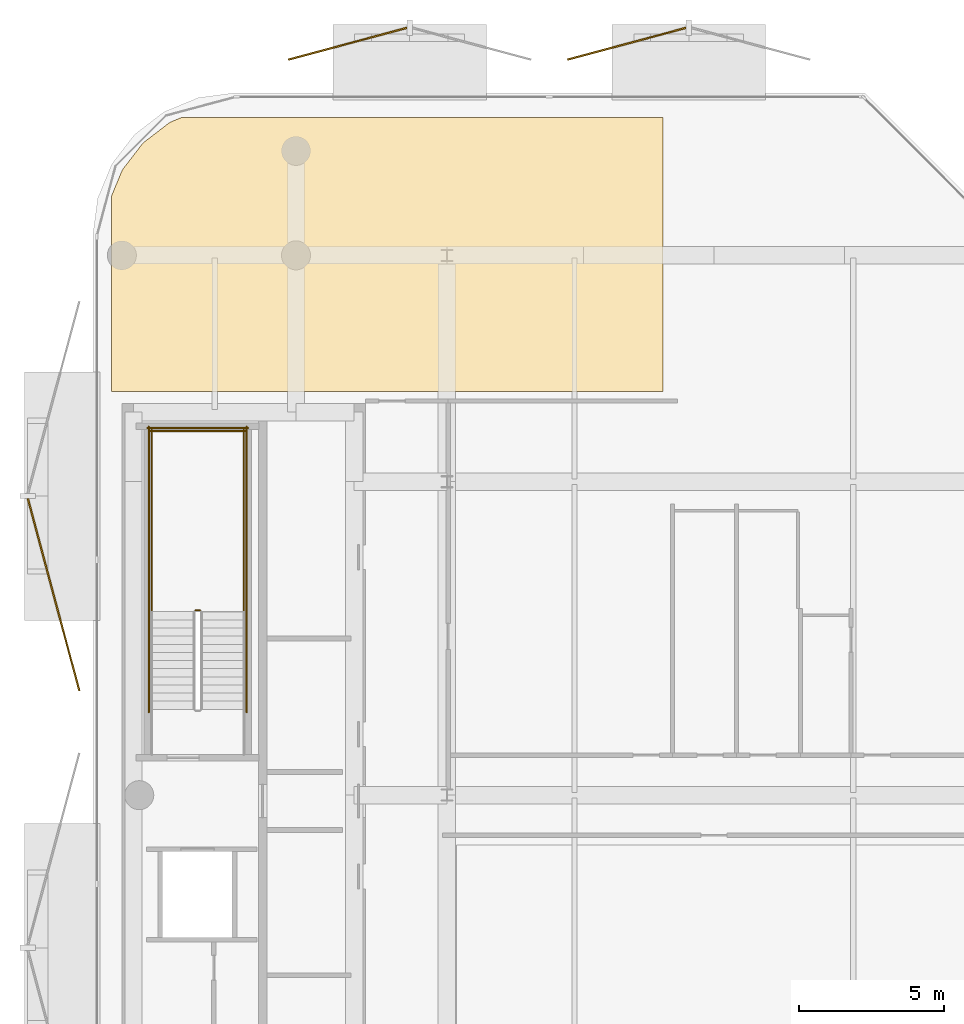
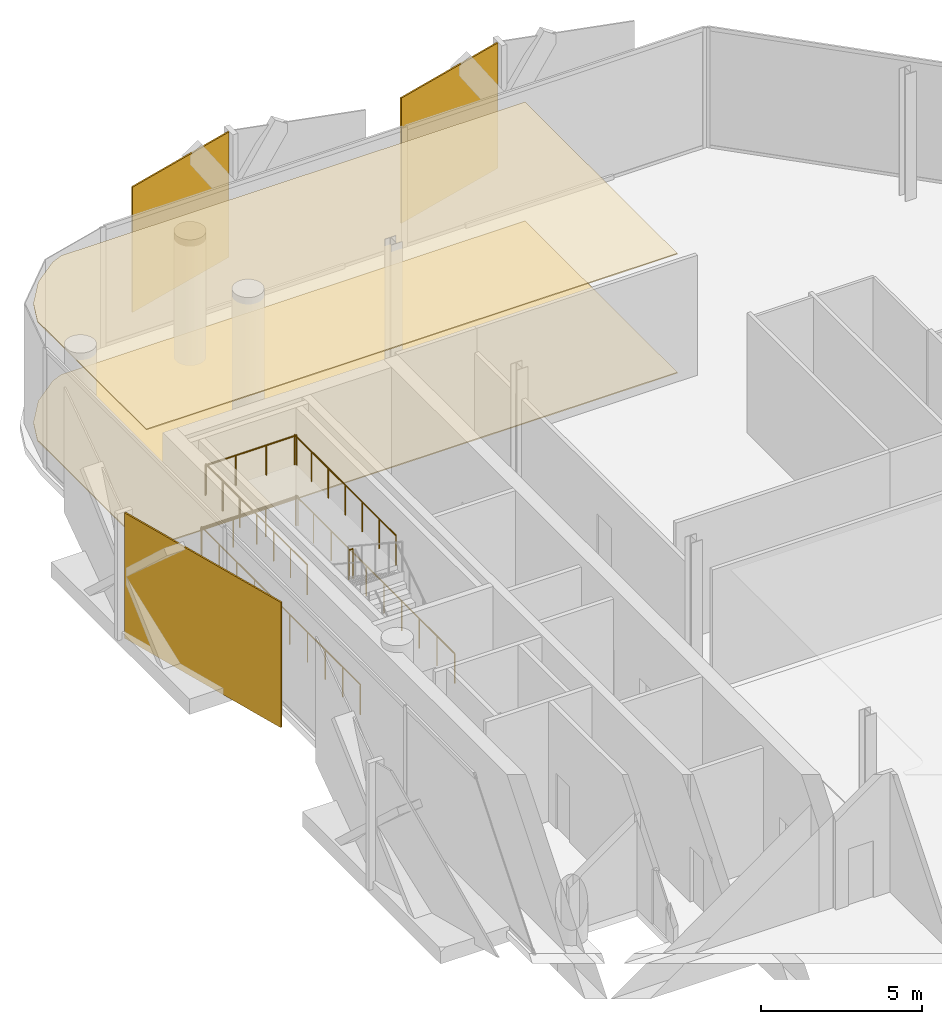
# One storey, part 15 of 15: 7 railings, 5 coverings.
"""IFC4 building model written with IfcOpenShell, lengths in metres."""

import ifcopenshell
import ifcopenshell.guid

model = None  # the IFC model being written
_history = None  # IfcOwnerHistory: only IFC2X3 demands one
_inside = {}  # id of a spatial element -> (the spatial element, [elements in it])
_under = {}  # id of a project, library or spatial element -> (it, [spatial elements below it])
_declared = {}  # id of a project -> (the project, [libraries it declares])
_typed = {}  # id of a type object -> (the type object, [elements of that type])
_made_of = {}  # id of a material, layer set ... -> (it, [elements and type objects made of it])


def new_model(schema):
    """Start an empty IFC model of exactly this schema.

    Asked for "IFC4X3", IfcOpenShell would pick the latest addendum, in which some entities
    have other attributes; the version numbers below select the first issue.
    IFC2X3 requires an IfcOwnerHistory on every rooted entity: one is made here for all.
    """
    global model, _history
    if schema == "IFC4X3":
        model = ifcopenshell.file(schema_version=(4, 3, 0, 0))
    else:
        model = ifcopenshell.file(schema=schema)
    _inside.clear()
    _under.clear()
    _declared.clear()
    _typed.clear()
    _made_of.clear()
    _history = None
    if model.schema == "IFC2X3":
        org = make("IfcOrganization", Name="unknown")
        user = make(
            "IfcPersonAndOrganization",
            ThePerson=make("IfcPerson", FamilyName="unknown"),
            TheOrganization=org,
        )
        app = make(
            "IfcApplication",
            ApplicationDeveloper=org,
            Version="unknown",
            ApplicationFullName="unknown",
            ApplicationIdentifier="unknown",
        )
        _history = make(
            "IfcOwnerHistory",
            OwningUser=user,
            OwningApplication=app,
            ChangeAction="ADDED",
            CreationDate=0,
        )
    return model


def make(cls, **values):
    """One entity of the class cls with the attributes given. An attribute that is None is left unset."""
    return model.create_entity(
        cls, **{name: value for name, value in values.items() if value is not None}
    )


def rooted(cls, **values):
    """An entity with a GlobalId (a new one), such as an element, a storey or a relation."""
    return make(cls, GlobalId=ifcopenshell.guid.new(), OwnerHistory=_history, **values)


def si_unit(unit_type, name, prefix=None):
    """IfcSIUnit, for example si_unit("LENGTHUNIT", "METRE", prefix="MILLI")."""
    return make("IfcSIUnit", UnitType=unit_type, Prefix=prefix, Name=name)


def assignment(units):
    """IfcUnitAssignment: the units of a project."""
    return None if units is None else make("IfcUnitAssignment", Units=units)


def point(xyz):
    """IfcCartesianPoint."""
    return None if xyz is None else make("IfcCartesianPoint", Coordinates=xyz)


def direction(xyz):
    """IfcDirection."""
    return None if xyz is None else make("IfcDirection", DirectionRatios=xyz)


def frame(location, z_axis=None, x_axis=None):
    """IfcAxis2Placement3D, a coordinate frame: its origin and axes. An axis left out is left unset."""
    return make(
        "IfcAxis2Placement3D",
        Location=point(location),
        Axis=direction(z_axis),
        RefDirection=direction(x_axis),
    )


def frame_2d(location, x_axis=None):
    """IfcAxis2Placement2D, a coordinate frame in the plane: its origin and x axis."""
    return make(
        "IfcAxis2Placement2D", Location=point(location), RefDirection=direction(x_axis)
    )


def origin():
    """The frame at (0, 0, 0) with its axes left unset."""
    return frame((0.0, 0.0, 0.0))


def origin_2d():
    """The frame at (0, 0) in the plane with its x axis left unset."""
    return frame_2d((0.0, 0.0))


def place(relative_to, where):
    """IfcLocalPlacement: puts the frame where relative to a parent placement (None: the world)."""
    return make(
        "IfcLocalPlacement", PlacementRelTo=relative_to, RelativePlacement=where
    )


def context(
    kind, dimensions, precision=None, world=None, true_north=None, identifier=None
):
    """IfcGeometricRepresentationContext, for example the 3D "Model" context."""
    return make(
        "IfcGeometricRepresentationContext",
        ContextIdentifier=identifier,
        ContextType=kind,
        CoordinateSpaceDimension=dimensions,
        Precision=precision,
        WorldCoordinateSystem=world,
        TrueNorth=true_north,
    )


def subcontext(parent, identifier, kind, view, scale=None):
    """IfcGeometricRepresentationSubContext, for example "Body" below "Model"."""
    return make(
        "IfcGeometricRepresentationSubContext",
        ContextIdentifier=identifier,
        ContextType=kind,
        ParentContext=parent,
        TargetScale=scale,
        TargetView=view,
    )


def project(units=None, contexts=None):
    """IfcProject with its units and contexts."""
    return rooted(
        "IfcProject",
        Name="project",
        RepresentationContexts=contexts,
        UnitsInContext=assignment(units),
    )


def spatial(cls, under=None, at=None, **own):
    """A site, building, storey or space (cls), placed at a placement, below another one or the project."""
    s = rooted(cls, ObjectPlacement=at, **own)
    if under is not None:
        _under.setdefault(under.id(), (under, []))[1].append(s)
    return s


def polyline(points):
    """IfcPolyline through the points."""
    return make("IfcPolyline", Points=[point(p) for p in points])


def profile(cls, at=None, kind="AREA", **sizes):
    """A parametric profile (cls). Its sizes go by their IFC names, for example OverallWidth=200.0."""
    return make(cls, ProfileType=kind, Position=at, **sizes)


def rectangle(**sizes):
    """IfcRectangleProfileDef."""
    return profile("IfcRectangleProfileDef", **sizes)


def circle(**sizes):
    """IfcCircleProfileDef."""
    return profile("IfcCircleProfileDef", **sizes)


def outline(outer, holes=None, kind="AREA"):
    """IfcArbitraryClosedProfileDef: a profile drawn as a closed curve; with holes, ...WithVoids."""
    if holes is None:
        return make("IfcArbitraryClosedProfileDef", ProfileType=kind, OuterCurve=outer)
    return make(
        "IfcArbitraryProfileDefWithVoids",
        ProfileType=kind,
        OuterCurve=outer,
        InnerCurves=holes,
    )


def extrude(swept, where, along, depth):
    """IfcExtrudedAreaSolid: the profile swept, set in the frame where, extruded along a direction by depth."""
    return make(
        "IfcExtrudedAreaSolid",
        SweptArea=swept,
        Position=where,
        ExtrudedDirection=direction(along),
        Depth=depth,
    )


def shape(context_of_items, identifier, shape_type, items):
    """IfcShapeRepresentation: the items that make up one representation, for example the "Body"."""
    return make(
        "IfcShapeRepresentation",
        ContextOfItems=context_of_items,
        RepresentationIdentifier=identifier,
        RepresentationType=shape_type,
        Items=items,
    )


def material(Name=None, Category=None):
    """IfcMaterial."""
    return make("IfcMaterial", Name=Name, Category=Category)


def layer(
    of_material, thickness, ventilated=None, Name=None, Category=None, Priority=None
):
    """IfcMaterialLayer: one layer of a wall or slab, of a material (None: an air gap)."""
    return make(
        "IfcMaterialLayer",
        Material=of_material,
        LayerThickness=thickness,
        IsVentilated=ventilated,
        Name=Name,
        Category=Category,
        Priority=Priority,
    )


def layer_set(layers, Name=None):
    """IfcMaterialLayerSet."""
    return make("IfcMaterialLayerSet", MaterialLayers=layers, LayerSetName=Name)


def made_of(thing, what):
    """Note that an element or type object is made of a material, layer set ...; save() writes the relation."""
    if what is not None:
        _made_of.setdefault(what.id(), (what, []))[1].append(thing)
    return thing


def type_object(cls, material=None, **own):
    """A type object (cls), such as IfcWallType, which elements share."""
    return made_of(rooted(cls, **own), material)


def element(
    cls,
    number,
    at=None,
    inside=None,
    cuts=None,
    type_object=None,
    material=None,
    context=None,
    identifier="Body",
    shape_type=None,
    held_by="IfcProductDefinitionShape",
    body=None,
    shapes=None,
    **own,
):
    """One element of the class cls, such as IfcWall. Its Tag is "e" and its number.

    at: its placement. inside: the storey or other place that contains it. cuts: it is an
    opening in that element (IfcRelVoidsElement). A single representation is given by context,
    identifier, shape_type and body (its items); several are given by shapes. held_by: the class
    of the entity that holds the representations. save() writes the other relations.
    """
    e = rooted(cls, Tag="e%d" % number, ObjectPlacement=at, **own)
    if body is not None:
        shapes = [shape(context, identifier, shape_type, body)]
    if shapes is not None:
        e.Representation = make(held_by, Representations=shapes)
    if inside is not None:
        _inside.setdefault(inside.id(), (inside, []))[1].append(e)
    if cuts is not None:
        rooted(
            "IfcRelVoidsElement", RelatingBuildingElement=cuts, RelatedOpeningElement=e
        )
    if type_object is not None:
        _typed.setdefault(type_object.id(), (type_object, []))[1].append(e)
    return made_of(e, material)


def aggregate(whole, parts):
    """IfcRelAggregates: a whole, such as a stair, and the parts it consists of."""
    return rooted("IfcRelAggregates", RelatingObject=whole, RelatedObjects=parts)


def save(model, path):
    """Write the relations noted so far, then the file.

    IfcRelAggregates (storeys below a building ...), IfcRelContainedInSpatialStructure (elements
    in a storey), IfcRelDefinesByType, IfcRelAssociatesMaterial and IfcRelDeclares: one each for
    every whole, place, type object, material and project.
    """
    for whole, parts in _under.values():
        aggregate(whole, parts)
    for where, things in _inside.values():
        rooted(
            "IfcRelContainedInSpatialStructure",
            RelatedElements=things,
            RelatingStructure=where,
        )
    for kind, things in _typed.values():
        rooted("IfcRelDefinesByType", RelatedObjects=things, RelatingType=kind)
    for what, things in _made_of.values():
        rooted("IfcRelAssociatesMaterial", RelatedObjects=things, RelatingMaterial=what)
    for by, libraries in _declared.values():
        rooted("IfcRelDeclares", RelatingContext=by, RelatedDefinitions=libraries)
    model.write(path)


model = new_model("IFC4")

# Units and contexts
model_context = context("Model", 3, precision=1e-05, world=origin(), true_north=direction((0.0, 1.0)))
body_context = subcontext(model_context, "Body", "Model", "MODEL_VIEW")
ifc_project = project(units=[si_unit("LENGTHUNIT", "METRE"), si_unit("AREAUNIT", "SQUARE_METRE"), si_unit("VOLUMEUNIT", "CUBIC_METRE"), si_unit("PLANEANGLEUNIT", "RADIAN"), si_unit("MASSUNIT", "GRAM", prefix="KILO")], contexts=[model_context])

# Site, building, storey
site_placement = place(None, origin())
site = spatial("IfcSite", under=ifc_project, at=site_placement, CompositionType="ELEMENT")
building_placement = place(site_placement, origin())
building = spatial("IfcBuilding", under=site, at=building_placement, Name="Khairoan Windgate Tower", CompositionType="ELEMENT")
storey_placement = place(building_placement, frame((0.0, 0.0, 315.60009765625)))
storey = spatial("IfcBuildingStorey", under=building, at=storey_placement, Name="L76", CompositionType="ELEMENT", Elevation=315.60009765625)

# Coverings
ifc_material_1 = material(Name="Acoustic Mineral Fibre Ceiling", Category="gypsum")
ifc_layer_1 = layer(ifc_material_1, 0.0400390625, Name="Acoustic Mineral Fibre Ceiling")
ifc_layer_set_1 = layer_set([ifc_layer_1], Name="Acoustic Mineral Fibre Ceiling")
covering_type_1 = type_object("IfcCoveringType", Name="Flush Acoustic Mineral Ceiling Panel", PredefinedType="CEILING", material=ifc_layer_set_1)
covering_1_placement = place(storey_placement, frame((0.0, 0.0, 4.5)))
element("IfcCovering", 1, at=covering_1_placement, inside=storey, type_object=covering_type_1, Name="L76 Riverfront Sky Cocktail Lounge Acoustic Ceiling", PredefinedType="CEILING", context=body_context, shape_type="SweptSolid", body=[
    extrude(outline(polyline([(-1.75, 13.909912109375), (-20.75, 13.909912109375), (-20.75, 20.662841796875), (-20.38525390625, 21.543212890625), (-19.67236328125, 22.472412109375), (-18.7431640625, 23.185302734375), (-18.345703125, 23.35009765625), (-1.75, 23.35009765625), (-1.75, 13.909912109375)])), origin(), (0.0, 0.0, 1.0), 0.039794921875),
])
ifc_material_2 = material(Name="Travertine Stone Paving", Category="masonry")
ifc_layer_2 = layer(ifc_material_2, 0.0400390625, Name="Travertine Stone Paving")
ifc_layer_set_2 = layer_set([ifc_layer_2], Name="Travertine Stone Paving")
covering_type_2 = type_object("IfcCoveringType", Name="Honed Travertine Lobby Stone Flooring", PredefinedType="FLOORING", material=ifc_layer_set_2)
covering_2_placement = place(storey_placement, origin())
element("IfcCovering", 2, at=covering_2_placement, inside=storey, type_object=covering_type_2, Name="L76 Riverfront Sky Cocktail Lounge Finish Flooring", PredefinedType="FLOORING", context=body_context, shape_type="SweptSolid", body=[
    extrude(outline(polyline([(-1.75, 13.909912109375), (-20.75, 13.909912109375), (-20.75, 20.662841796875), (-20.38525390625, 21.543212890625), (-19.67236328125, 22.472412109375), (-18.7431640625, 23.185302734375), (-18.345703125, 23.35009765625), (-1.75, 23.35009765625), (-1.75, 13.909912109375)])), origin(), (0.0, 0.0, 1.0), 0.039794921875),
])
ifc_material_3 = material(Name="Anodised Bronze Aluminium 6063-T6", Category="aluminium")
ifc_layer_3 = layer(ifc_material_3, 0.054931640625, Name="Anodised Bronze Aluminium 6063-T6")
ifc_layer_set_3 = layer_set([ifc_layer_3], Name="Anodised Bronze Aluminium 6063-T6")
covering_type_3 = type_object("IfcCoveringType", Name="Perforated Bronze-Ceramic Folded Solar Screen Cladding BSC-1", PredefinedType="CLADDING", material=ifc_layer_set_3)
covering_3_placement = place(storey_placement, frame((-22.753662109375, 6.909912109375, -0.10009765625), z_axis=(0.0, 0.0, 1.0), x_axis=(-0.258819045103, 0.965925826289, 0.0)))
element("IfcCovering", 3, at=covering_3_placement, inside=storey, type_object=covering_type_3, Name="L76 Folded Bronze Solar Screen Facet 537L", PredefinedType="CLADDING", context=body_context, shape_type="SweptSolid", body=[
    extrude(rectangle(XDim=6.84912109375, YDim=0.054931640625, at=origin_2d()), origin(), (0.0, 0.0, 1.0), 4.739990234375),
])
for number, where, z_axis, x_axis, name in (
    (4, (-12.615966796875, 25.892578125, -0.10009765625), (0.0, 0.0, 1.0), (0.965925826289, 0.258819045103, 0.0), "L76 Folded Bronze Solar Screen Facet 538L"),
    (5, (-2.99951171875, 25.892578125, -0.10009765625), (0.0, 0.0, 1.0), (0.965925826289, 0.258819045103, 0.0), "L76 Folded Bronze Solar Screen Facet 539L"),
):
    element("IfcCovering", number, at=place(storey_placement, frame(where, z_axis=z_axis, x_axis=x_axis)), inside=storey, type_object=covering_type_3, Name=name, PredefinedType="CLADDING", context=body_context, shape_type="SweptSolid", body=[
        extrude(rectangle(XDim=4.23095703125, YDim=0.054931640625, at=origin_2d()), origin(), (0.0, 0.0, 1.0), 4.739990234375),
    ])

# Railings
ifc_material_4 = material(Name="Steel S355", Category="steel")
railing_type = type_object("IfcRailingType", Name="Stairwell Safety Guardrail SGR-1150", PredefinedType="GUARDRAIL", material=ifc_material_4)
railing_1_placement = place(storey_placement, frame((-17.7099609375, 6.3701171875, 2.39990234375)))
element("IfcRailing", 6, at=railing_1_placement, inside=storey, type_object=railing_type, Name="L76 ST2 stair guard 2", PredefinedType="GUARDRAIL", context=body_context, shape_type="SweptSolid", body=[
    extrude(circle(Radius=0.02392578125, at=origin_2d()), frame((0.0, 0.0, 1.1259765625), z_axis=(-1.0, 0.0, 0.0), x_axis=(0.0, -1.0, 0.0)), (0.0, 0.0, 1.0), 0.150146484375),
    extrude(circle(Radius=0.02099609375, at=origin_2d()), origin(), (0.0, 0.0, 1.0), 1.101806640625),
    extrude(circle(Radius=0.02099609375, at=origin_2d()), frame((-0.150146484375, 0.0, 0.0)), (0.0, 0.0, 1.0), 1.101806640625),
])
for number, where, name in (
    (7, (-16.199951171875, 6.320068359375, 2.39990234375), "L76 ST2 stair guard 3"),
    (8, (-19.3701171875, 6.320068359375, 2.39990234375), "L76 ST2 stair guard 4"),
):
    element("IfcRailing", number, at=place(storey_placement, frame(where)), inside=storey, type_object=railing_type, Name=name, PredefinedType="GUARDRAIL", context=body_context, shape_type="SweptSolid", body=[
        extrude(circle(Radius=0.02392578125, at=origin_2d()), frame((0.0, 0.0, 1.1259765625), z_axis=(0.0, 1.0, 0.0), x_axis=(-1.0, 0.0, 0.0)), (0.0, 0.0, 1.0), 6.280029296875),
        extrude(circle(Radius=0.02099609375, at=origin_2d()), origin(), (0.0, 0.0, 1.0), 1.101806640625),
        extrude(circle(Radius=0.02099609375, at=origin_2d()), frame((0.0, 1.046630859375, 0.0)), (0.0, 0.0, 1.0), 1.101806640625),
        extrude(circle(Radius=0.02099609375, at=origin_2d()), frame((0.0, 2.09326171875, 0.0)), (0.0, 0.0, 1.0), 1.101806640625),
        extrude(circle(Radius=0.02099609375, at=origin_2d()), frame((0.0, 3.14013671875, 0.0)), (0.0, 0.0, 1.0), 1.101806640625),
        extrude(circle(Radius=0.02099609375, at=origin_2d()), frame((0.0, 4.186767578125, 0.0)), (0.0, 0.0, 1.0), 1.101806640625),
        extrude(circle(Radius=0.02099609375, at=origin_2d()), frame((0.0, 5.2333984375, 0.0)), (0.0, 0.0, 1.0), 1.101806640625),
        extrude(circle(Radius=0.02099609375, at=origin_2d()), frame((0.0, 6.280029296875, 0.0)), (0.0, 0.0, 1.0), 1.101806640625),
    ])
railing_2_placement = place(storey_placement, frame((-16.14990234375, 12.550048828125, 2.39990234375)))
element("IfcRailing", 9, at=railing_2_placement, inside=storey, type_object=railing_type, Name="L76 ST2 stair guard 5", PredefinedType="GUARDRAIL", context=body_context, shape_type="SweptSolid", body=[
    extrude(circle(Radius=0.02392578125, at=origin_2d()), frame((0.0, 0.0, 1.1259765625), z_axis=(-1.0, 0.0, 0.0), x_axis=(0.0, -1.0, 0.0)), (0.0, 0.0, 1.0), 3.27001953125),
    extrude(circle(Radius=0.02099609375, at=origin_2d()), origin(), (0.0, 0.0, 1.0), 1.101806640625),
    extrude(circle(Radius=0.02099609375, at=origin_2d()), frame((-1.090087890625, 0.0, 0.0)), (0.0, 0.0, 1.0), 1.101806640625),
    extrude(circle(Radius=0.02099609375, at=origin_2d()), frame((-2.179931640625, 0.0, 0.0)), (0.0, 0.0, 1.0), 1.101806640625),
    extrude(circle(Radius=0.02099609375, at=origin_2d()), frame((-3.27001953125, 0.0, 0.0)), (0.0, 0.0, 1.0), 1.101806640625),
])
for number, where, name in (
    (10, (-16.10009765625, 2.860107421875, 0.0), "L76 ST2 stair guard 10"),
    (11, (-19.469970703125, 2.860107421875, 0.0), "L76 ST2 stair guard 11"),
):
    element("IfcRailing", number, at=place(storey_placement, frame(where)), inside=storey, type_object=railing_type, Name=name, PredefinedType="GUARDRAIL", context=body_context, shape_type="SweptSolid", body=[
        extrude(circle(Radius=0.02392578125, at=origin_2d()), frame((0.0, 0.0, 1.1259765625), z_axis=(0.0, 1.0, 0.0), x_axis=(-1.0, 0.0, 0.0)), (0.0, 0.0, 1.0), 9.83984375),
        extrude(circle(Radius=0.02099609375, at=origin_2d()), origin(), (0.0, 0.0, 1.0), 1.101806640625),
        extrude(circle(Radius=0.02099609375, at=origin_2d()), frame((0.0, 1.09326171875, 0.0)), (0.0, 0.0, 1.0), 1.101806640625),
        extrude(circle(Radius=0.02099609375, at=origin_2d()), frame((0.0, 2.1865234375, 0.0)), (0.0, 0.0, 1.0), 1.101806640625),
        extrude(circle(Radius=0.02099609375, at=origin_2d()), frame((0.0, 3.280029296875, 0.0)), (0.0, 0.0, 1.0), 1.101806640625),
        extrude(circle(Radius=0.02099609375, at=origin_2d()), frame((0.0, 4.373291015625, 0.0)), (0.0, 0.0, 1.0), 1.101806640625),
        extrude(circle(Radius=0.02099609375, at=origin_2d()), frame((0.0, 5.466552734375, 0.0)), (0.0, 0.0, 1.0), 1.101806640625),
        extrude(circle(Radius=0.02099609375, at=origin_2d()), frame((0.0, 6.559814453125, 0.0)), (0.0, 0.0, 1.0), 1.101806640625),
        extrude(circle(Radius=0.02099609375, at=origin_2d()), frame((0.0, 7.6533203125, 0.0)), (0.0, 0.0, 1.0), 1.101806640625),
        extrude(circle(Radius=0.02099609375, at=origin_2d()), frame((0.0, 8.74658203125, 0.0)), (0.0, 0.0, 1.0), 1.101806640625),
        extrude(circle(Radius=0.02099609375, at=origin_2d()), frame((0.0, 9.83984375, 0.0)), (0.0, 0.0, 1.0), 1.101806640625),
    ])
railing_3_placement = place(storey_placement, frame((-16.050048828125, 12.64990234375, 0.0)))
element("IfcRailing", 12, at=railing_3_placement, inside=storey, type_object=railing_type, Name="L76 ST2 stair guard 12", PredefinedType="GUARDRAIL", context=body_context, shape_type="SweptSolid", body=[
    extrude(circle(Radius=0.02392578125, at=origin_2d()), frame((0.0, 0.0, 1.1259765625), z_axis=(-1.0, 0.0, 0.0), x_axis=(0.0, -1.0, 0.0)), (0.0, 0.0, 1.0), 3.469970703125),
    extrude(circle(Radius=0.02099609375, at=origin_2d()), origin(), (0.0, 0.0, 1.0), 1.101806640625),
    extrude(circle(Radius=0.02099609375, at=origin_2d()), frame((-1.15673828125, 0.0, 0.0)), (0.0, 0.0, 1.0), 1.101806640625),
    extrude(circle(Radius=0.02099609375, at=origin_2d()), frame((-2.313232421875, 0.0, 0.0)), (0.0, 0.0, 1.0), 1.101806640625),
    extrude(circle(Radius=0.02099609375, at=origin_2d()), frame((-3.469970703125, 0.0, 0.0)), (0.0, 0.0, 1.0), 1.101806640625),
])

save(model, "model.ifc")
